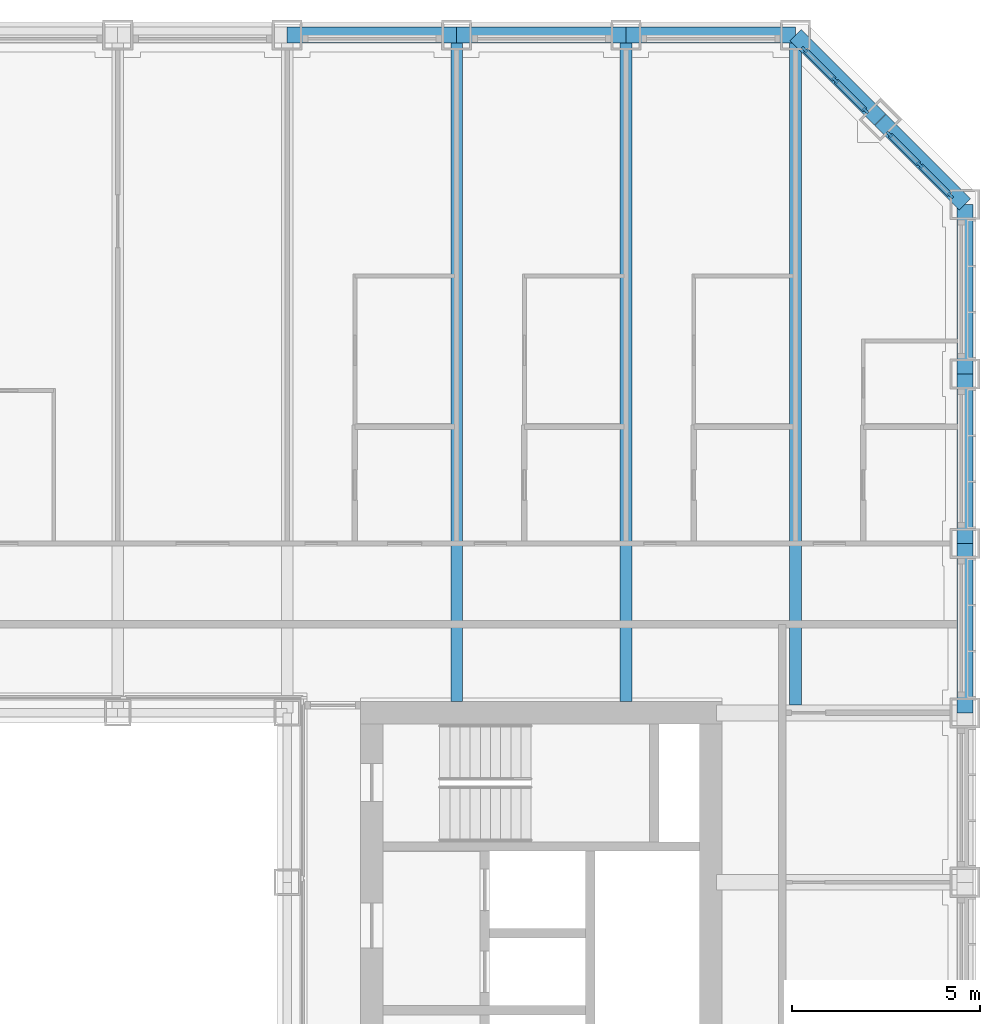
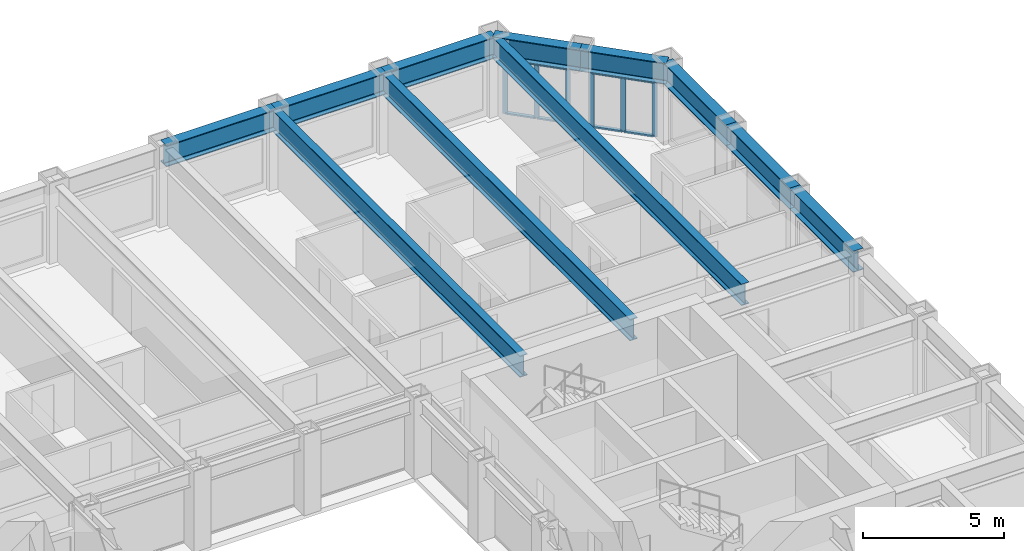
# One storey, part 7 of 21: 14 members, 11 beams, 2 elements without a shape of their own.
"""IFC4 building model written with IfcOpenShell, lengths in metres."""

from ifc_helpers import new_model, si_unit, direction, frame, origin, origin_2d, place, context, subcontext, project, spatial, rectangle, i_section, extrude, material, material_profile, profile_set, type_object, element, aggregate, save


model = new_model("IFC4")

# Units and contexts
model_context = context("Model", 3, precision=1e-05, world=origin(), true_north=direction((0.0, 1.0)))
body_context = subcontext(model_context, "Body", "Model", "MODEL_VIEW")
ifc_project = project(units=[si_unit("LENGTHUNIT", "METRE"), si_unit("AREAUNIT", "SQUARE_METRE"), si_unit("VOLUMEUNIT", "CUBIC_METRE"), si_unit("PLANEANGLEUNIT", "RADIAN"), si_unit("MASSUNIT", "GRAM", prefix="KILO")], contexts=[model_context])

# Site, building, storey
site_placement = place(None, origin())
site = spatial("IfcSite", under=ifc_project, at=site_placement, CompositionType="ELEMENT")
building_placement = place(site_placement, origin())
building = spatial("IfcBuilding", under=site, at=building_placement, Name="Msasa Ring Tower", CompositionType="ELEMENT")
storey_placement = place(building_placement, frame((0.0, 0.0, 82.5)))
storey = spatial("IfcBuildingStorey", under=building, at=storey_placement, Name="L21", CompositionType="ELEMENT", Elevation=82.5)

# Curtain wall, members
ifc_material_1 = material(Name="Aluminium curtain wall with clear glass", Category="aluminium")
curtain_wall_type = type_object("IfcCurtainWallType", Name="CW-C CHAMFER CORNER CURTAIN WALL", PredefinedType="NOTDEFINED", material=ifc_material_1)
curtain_wall_1_placement = place(storey_placement, origin())
curtain_wall_1 = element("IfcCurtainWall", 1, at=curtain_wall_1_placement, inside=storey, type_object=curtain_wall_type, Name="Chamfer corner curtain wall NE L21", PredefinedType="NOTDEFINED")
ifc_material_2 = material(Name="Aluminium mullion", Category="aluminium")
ifc_material_profile_1 = material_profile(ifc_material_2, rectangle(XDim=0.06494140625, YDim=0.179931640625, at=origin_2d()), Name="AL 65x180")
ifc_profile_set_1 = profile_set([ifc_material_profile_1], Name="Aluminium mullion")
member_type_1 = type_object("IfcMemberType", Name="CW-C MULLION 65x180", PredefinedType="MULLION", material=ifc_profile_set_1)
member_1_placement = place(storey_placement, frame((22.119873046875, 22.73876953125, 0.0), z_axis=(0.0, 0.0, 1.0), x_axis=(-0.707106781187, -0.707106781187, 0.0)))
member_1 = element("IfcMember", 2, at=member_1_placement, type_object=member_type_1, Name="CW-C mullion 1", PredefinedType="MULLION", context=body_context, shape_type="SweptSolid", body=[
    extrude(rectangle(XDim=0.06494140625, YDim=0.179931640625, at=origin_2d()), origin(), (0.0, 0.0, 1.0), 2.37890625),
])
member_2_placement = place(storey_placement, frame((21.30419921875, 23.55419921875, 0.0), z_axis=(0.0, 0.0, 1.0), x_axis=(-0.707106781187, -0.707106781187, 0.0)))
member_2 = element("IfcMember", 3, at=member_2_placement, type_object=member_type_1, Name="CW-C mullion 2", PredefinedType="MULLION", context=body_context, shape_type="SweptSolid", body=[
    extrude(rectangle(XDim=0.06494140625, YDim=0.179931640625, at=origin_2d()), origin(), (0.0, 0.0, 1.0), 2.37890625),
])
member_3_placement = place(storey_placement, frame((20.48876953125, 24.369873046875, 0.0), z_axis=(0.0, 0.0, 1.0), x_axis=(-0.707106781187, -0.707106781187, 0.0)))
member_3 = element("IfcMember", 4, at=member_3_placement, type_object=member_type_1, Name="CW-C mullion 3", PredefinedType="MULLION", context=body_context, shape_type="SweptSolid", body=[
    extrude(rectangle(XDim=0.06494140625, YDim=0.179931640625, at=origin_2d()), origin(), (0.0, 0.0, 1.0), 2.37890625),
])

curtain_wall_2_placement = place(storey_placement, origin())
curtain_wall_2 = element("IfcCurtainWall", 5, at=curtain_wall_2_placement, inside=storey, type_object=curtain_wall_type, Name="Chamfer corner curtain wall NE L21", PredefinedType="NOTDEFINED")
member_4_placement = place(storey_placement, frame((24.369873046875, 20.48876953125, 0.0), z_axis=(0.0, 0.0, 1.0), x_axis=(-0.707106781187, -0.707106781187, 0.0)))
member_4 = element("IfcMember", 6, at=member_4_placement, type_object=member_type_1, Name="CW-C mullion 1", PredefinedType="MULLION", context=body_context, shape_type="SweptSolid", body=[
    extrude(rectangle(XDim=0.06494140625, YDim=0.179931640625, at=origin_2d()), origin(), (0.0, 0.0, 1.0), 2.37890625),
])
member_5_placement = place(storey_placement, frame((23.55419921875, 21.30419921875, 0.0), z_axis=(0.0, 0.0, 1.0), x_axis=(-0.707106781187, -0.707106781187, 0.0)))
member_5 = element("IfcMember", 7, at=member_5_placement, type_object=member_type_1, Name="CW-C mullion 2", PredefinedType="MULLION", context=body_context, shape_type="SweptSolid", body=[
    extrude(rectangle(XDim=0.06494140625, YDim=0.179931640625, at=origin_2d()), origin(), (0.0, 0.0, 1.0), 2.37890625),
])
member_6_placement = place(storey_placement, frame((22.73876953125, 22.119873046875, 0.0), z_axis=(0.0, 0.0, 1.0), x_axis=(-0.707106781187, -0.707106781187, 0.0)))
member_6 = element("IfcMember", 8, at=member_6_placement, type_object=member_type_1, Name="CW-C mullion 3", PredefinedType="MULLION", context=body_context, shape_type="SweptSolid", body=[
    extrude(rectangle(XDim=0.06494140625, YDim=0.179931640625, at=origin_2d()), origin(), (0.0, 0.0, 1.0), 2.37890625),
])

# Member
ifc_material_3 = material(Name="Aluminium transom", Category="aluminium")
ifc_material_profile_2 = material_profile(ifc_material_3, rectangle(XDim=0.139892578125, YDim=0.06494140625, at=origin_2d()), Name="AL 65x140")
ifc_profile_set_2 = profile_set([ifc_material_profile_2], Name="Aluminium transom")
member_type_2 = type_object("IfcMemberType", Name="CW-C TRANSOM 65x140", PredefinedType="USERDEFINED", material=ifc_profile_set_2)
member_7_placement = place(storey_placement, frame((22.096923828125, 22.76171875, 0.032470703125), z_axis=(-0.707106781187, 0.707106781187, 0.0), x_axis=(-0.707106781187, -0.707106781187, 0.0)))
member_7 = element("IfcMember", 9, at=member_7_placement, type_object=member_type_2, Name="CW-C transom 1.1", ObjectType="TRANSOM", PredefinedType="USERDEFINED", context=body_context, shape_type="SweptSolid", body=[
    extrude(rectangle(XDim=0.139892578125, YDim=0.06494140625, at=origin_2d()), origin(), (0.0, 0.0, 1.0), 1.08837890625),
])

member_8_placement = place(storey_placement, frame((22.096923828125, 22.76171875, 2.346435546875), z_axis=(-0.707106781187, 0.707106781187, 0.0), x_axis=(-0.707106781187, -0.707106781187, 0.0)))
member_8 = element("IfcMember", 10, at=member_8_placement, type_object=member_type_2, Name="CW-C transom 1.2", ObjectType="TRANSOM", PredefinedType="USERDEFINED", context=body_context, shape_type="SweptSolid", body=[
    extrude(rectangle(XDim=0.139892578125, YDim=0.06494140625, at=origin_2d()), origin(), (0.0, 0.0, 1.0), 1.08837890625),
])

member_9_placement = place(storey_placement, frame((21.28125, 23.577392578125, 0.032470703125), z_axis=(-0.707106781187, 0.707106781187, 0.0), x_axis=(-0.707106781187, -0.707106781187, 0.0)))
member_9 = element("IfcMember", 11, at=member_9_placement, type_object=member_type_2, Name="CW-C transom 2.1", ObjectType="TRANSOM", PredefinedType="USERDEFINED", context=body_context, shape_type="SweptSolid", body=[
    extrude(rectangle(XDim=0.139892578125, YDim=0.06494140625, at=origin_2d()), origin(), (0.0, 0.0, 1.0), 1.08837890625),
])

member_10_placement = place(storey_placement, frame((21.28125, 23.577392578125, 2.346435546875), z_axis=(-0.707106781187, 0.707106781187, 0.0), x_axis=(-0.707106781187, -0.707106781187, 0.0)))
member_10 = element("IfcMember", 12, at=member_10_placement, type_object=member_type_2, Name="CW-C transom 2.2", ObjectType="TRANSOM", PredefinedType="USERDEFINED", context=body_context, shape_type="SweptSolid", body=[
    extrude(rectangle(XDim=0.139892578125, YDim=0.06494140625, at=origin_2d()), origin(), (0.0, 0.0, 1.0), 1.08837890625),
])

aggregate(curtain_wall_1, [member_1, member_2, member_3, member_7, member_8, member_9, member_10])

member_11_placement = place(storey_placement, frame((24.346923828125, 20.51171875, 0.032470703125), z_axis=(-0.707106781187, 0.707106781187, 0.0), x_axis=(-0.707106781187, -0.707106781187, 0.0)))
member_11 = element("IfcMember", 13, at=member_11_placement, type_object=member_type_2, Name="CW-C transom 1.1", ObjectType="TRANSOM", PredefinedType="USERDEFINED", context=body_context, shape_type="SweptSolid", body=[
    extrude(rectangle(XDim=0.139892578125, YDim=0.06494140625, at=origin_2d()), origin(), (0.0, 0.0, 1.0), 1.08837890625),
])

member_12_placement = place(storey_placement, frame((24.346923828125, 20.51171875, 2.346435546875), z_axis=(-0.707106781187, 0.707106781187, 0.0), x_axis=(-0.707106781187, -0.707106781187, 0.0)))
member_12 = element("IfcMember", 14, at=member_12_placement, type_object=member_type_2, Name="CW-C transom 1.2", ObjectType="TRANSOM", PredefinedType="USERDEFINED", context=body_context, shape_type="SweptSolid", body=[
    extrude(rectangle(XDim=0.139892578125, YDim=0.06494140625, at=origin_2d()), origin(), (0.0, 0.0, 1.0), 1.08837890625),
])

member_13_placement = place(storey_placement, frame((23.53125, 21.327392578125, 0.032470703125), z_axis=(-0.707106781187, 0.707106781187, 0.0), x_axis=(-0.707106781187, -0.707106781187, 0.0)))
member_13 = element("IfcMember", 15, at=member_13_placement, type_object=member_type_2, Name="CW-C transom 2.1", ObjectType="TRANSOM", PredefinedType="USERDEFINED", context=body_context, shape_type="SweptSolid", body=[
    extrude(rectangle(XDim=0.139892578125, YDim=0.06494140625, at=origin_2d()), origin(), (0.0, 0.0, 1.0), 1.08837890625),
])

member_14_placement = place(storey_placement, frame((23.53125, 21.327392578125, 2.346435546875), z_axis=(-0.707106781187, 0.707106781187, 0.0), x_axis=(-0.707106781187, -0.707106781187, 0.0)))
member_14 = element("IfcMember", 16, at=member_14_placement, type_object=member_type_2, Name="CW-C transom 2.2", ObjectType="TRANSOM", PredefinedType="USERDEFINED", context=body_context, shape_type="SweptSolid", body=[
    extrude(rectangle(XDim=0.139892578125, YDim=0.06494140625, at=origin_2d()), origin(), (0.0, 0.0, 1.0), 1.08837890625),
])

aggregate(curtain_wall_2, [member_4, member_5, member_6, member_11, member_12, member_13, member_14])

# Beams
ifc_material_4 = material(Name="Steel S355", Category="steel")
ifc_material_profile_3 = material_profile(ifc_material_4, i_section(OverallWidth=0.3076171875, OverallDepth=0.926513671875, WebThickness=0.01953125, FlangeThickness=0.031982421875, FilletRadius=0.01904296875, at=origin_2d()), Name="UB 914x305x289")
ifc_profile_set_3 = profile_set([ifc_material_profile_3], Name="Steel S355")
beam_type_1 = type_object("IfcBeamType", Name="FB3 UB 914x305x289", PredefinedType="BEAM", material=ifc_profile_set_3)
for number, where, z_axis, x_axis, name in (
    (17, (11.25, 24.75, 2.836669921875), (0.0, -1.0, 0.0), (1.0, 0.0, 0.0), "Floor beam N+11.25 under L22"),
    (18, (15.75, 24.75, 2.836669921875), (0.0, -1.0, 0.0), (1.0, 0.0, 0.0), "Floor beam N+15.75 under L22"),
):
    element("IfcBeam", number, at=place(storey_placement, frame(where, z_axis=z_axis, x_axis=x_axis)), inside=storey, type_object=beam_type_1, Name=name, PredefinedType="BEAM", context=body_context, shape_type="SweptSolid", body=[
        extrude(i_section(OverallWidth=0.3076171875, OverallDepth=0.926513671875, WebThickness=0.01953125, FlangeThickness=0.031982421875, FilletRadius=0.01904296875, at=origin_2d()), origin(), (0.0, 0.0, 1.0), 17.699951171875),
    ])
beam_placement = place(storey_placement, frame((20.25, 24.75, 2.836669921875), z_axis=(0.0, -1.0, 0.0), x_axis=(1.0, 0.0, 0.0)))
element("IfcBeam", 19, at=beam_placement, inside=storey, type_object=beam_type_1, Name="Floor beam N+20.25 under L22", PredefinedType="BEAM", context=body_context, shape_type="SweptSolid", body=[
    extrude(i_section(OverallWidth=0.3076171875, OverallDepth=0.926513671875, WebThickness=0.01953125, FlangeThickness=0.031982421875, FilletRadius=0.01904296875, at=origin_2d()), origin(), (0.0, 0.0, 1.0), 17.789794921875),
])
ifc_material_5 = material(Name="Steel S355", Category="steel")
ifc_material_profile_4 = material_profile(ifc_material_5, i_section(OverallWidth=0.42041015625, OverallDepth=0.9208984375, WebThickness=0.021484375, FlangeThickness=0.03662109375, FilletRadius=0.024169921875, at=origin_2d()), Name="UB 914x419x388")
ifc_profile_set_4 = profile_set([ifc_material_profile_4], Name="Steel S355")
beam_type_2 = type_object("IfcBeamType", Name="SB1 UB 914x419x388", PredefinedType="SPANDREL", material=ifc_profile_set_4)
for number, where, z_axis, x_axis, name in (
    (20, (24.75, 6.75, 2.839599609375), (0.0, 1.0, 0.0), (-1.0, 0.0, 0.0), "Spandrel E+6.75 to E+11.25 under L22"),
    (21, (24.75, 11.25, 2.839599609375), (0.0, 1.0, 0.0), (-1.0, 0.0, 0.0), "Spandrel E+11.25 to E+15.75 under L22"),
    (22, (24.75, 15.75, 2.839599609375), (0.0, 1.0, 0.0), (-1.0, 0.0, 0.0), "Spandrel E+15.75 to E+20.25 under L22"),
):
    element("IfcBeam", number, at=place(storey_placement, frame(where, z_axis=z_axis, x_axis=x_axis)), inside=storey, type_object=beam_type_2, Name=name, PredefinedType="SPANDREL", context=body_context, shape_type="SweptSolid", body=[
        extrude(i_section(OverallWidth=0.42041015625, OverallDepth=0.9208984375, WebThickness=0.021484375, FlangeThickness=0.03662109375, FilletRadius=0.024169921875, at=origin_2d()), origin(), (0.0, 0.0, 1.0), 4.5),
    ])
for number, where, z_axis, x_axis, name in (
    (23, (24.75, 20.25, 2.839599609375), (-0.707106781187, 0.707106781187, 0.0), (-0.707106781187, -0.707106781187, 0.0), "Spandrel E+20.25 to NE under L22"),
    (24, (22.5, 22.5, 2.839599609375), (-0.707106781187, 0.707106781187, 0.0), (-0.707106781187, -0.707106781187, 0.0), "Spandrel NE to N+20.25 under L22"),
):
    element("IfcBeam", number, at=place(storey_placement, frame(where, z_axis=z_axis, x_axis=x_axis)), inside=storey, type_object=beam_type_2, Name=name, PredefinedType="SPANDREL", context=body_context, shape_type="SweptSolid", body=[
        extrude(i_section(OverallWidth=0.42041015625, OverallDepth=0.9208984375, WebThickness=0.021484375, FlangeThickness=0.03662109375, FilletRadius=0.024169921875, at=origin_2d()), origin(), (0.0, 0.0, 1.0), 3.181884765625),
    ])
for number, where, z_axis, x_axis, name in (
    (25, (20.25, 24.75, 2.839599609375), (-1.0, 0.0, 0.0), (0.0, -1.0, 0.0), "Spandrel N+20.25 to N+15.75 under L22"),
    (26, (15.75, 24.75, 2.839599609375), (-1.0, 0.0, 0.0), (0.0, -1.0, 0.0), "Spandrel N+15.75 to N+11.25 under L22"),
    (27, (11.25, 24.75, 2.839599609375), (-1.0, 0.0, 0.0), (0.0, -1.0, 0.0), "Spandrel N+11.25 to N+6.75 under L22"),
):
    element("IfcBeam", number, at=place(storey_placement, frame(where, z_axis=z_axis, x_axis=x_axis)), inside=storey, type_object=beam_type_2, Name=name, PredefinedType="SPANDREL", context=body_context, shape_type="SweptSolid", body=[
        extrude(i_section(OverallWidth=0.42041015625, OverallDepth=0.9208984375, WebThickness=0.021484375, FlangeThickness=0.03662109375, FilletRadius=0.024169921875, at=origin_2d()), origin(), (0.0, 0.0, 1.0), 4.5),
    ])

save(model, "model.ifc")
